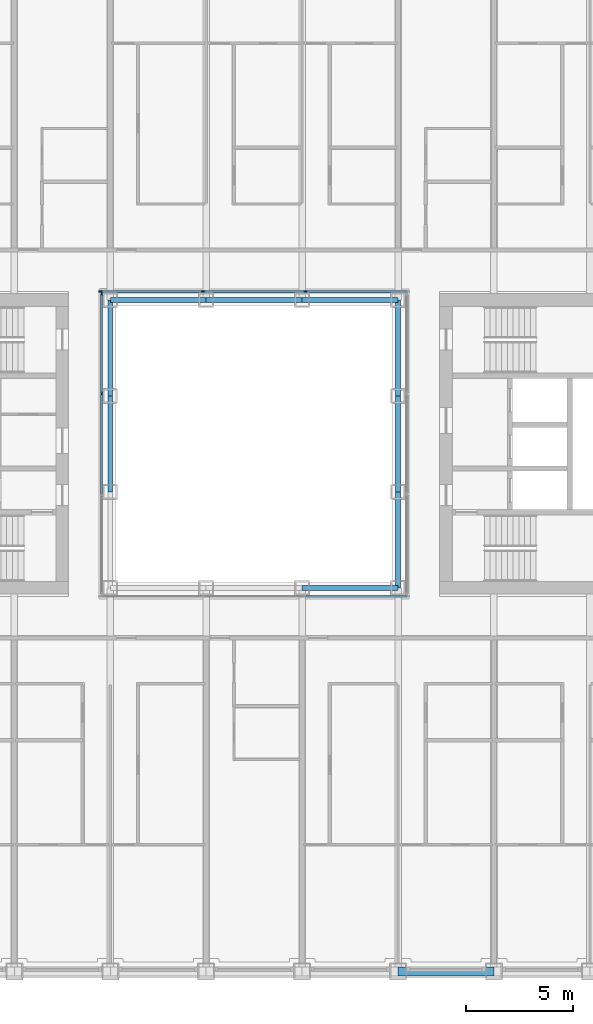
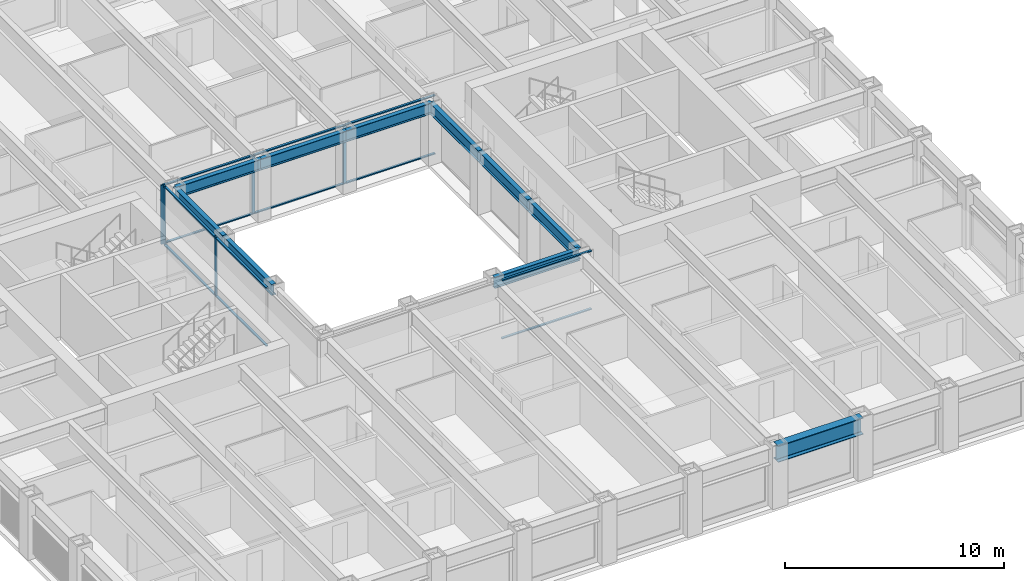
# One storey, part 4 of 20: 17 members, 10 beams, 3 elements without a shape of their own.
"""IFC4 building model written with IfcOpenShell, lengths in metres."""

from ifc_helpers import new_model, si_unit, direction, frame, origin, origin_2d, place, context, subcontext, project, spatial, rectangle, i_section, extrude, material, material_profile, profile_set, type_object, element, aggregate, save


model = new_model("IFC4")

# Units and contexts
model_context = context("Model", 3, precision=1e-05, world=origin(), true_north=direction((0.0, 1.0)))
body_context = subcontext(model_context, "Body", "Model", "MODEL_VIEW")
ifc_project = project(units=[si_unit("LENGTHUNIT", "METRE"), si_unit("AREAUNIT", "SQUARE_METRE"), si_unit("VOLUMEUNIT", "CUBIC_METRE"), si_unit("PLANEANGLEUNIT", "RADIAN"), si_unit("MASSUNIT", "GRAM", prefix="KILO")], contexts=[model_context])

# Site, building, storey
site_placement = place(None, origin())
site = spatial("IfcSite", under=ifc_project, at=site_placement, CompositionType="ELEMENT")
building_placement = place(site_placement, origin())
building = spatial("IfcBuilding", under=site, at=building_placement, Name="Msasa Ring Tower", CompositionType="ELEMENT")
storey_placement = place(building_placement, frame((0.0, 0.0, 58.0)))
storey = spatial("IfcBuildingStorey", under=building, at=storey_placement, Name="L14", CompositionType="ELEMENT", Elevation=58.0)

# Curtain wall, members
ifc_material_1 = material(Name="Aluminium curtain wall with clear glass", Category="aluminium")
curtain_wall_type = type_object("IfcCurtainWallType", Name="CW-W LIGHT WELL CURTAIN WALL", PredefinedType="NOTDEFINED", material=ifc_material_1)
curtain_wall_1_placement = place(storey_placement, origin())
curtain_wall_1 = element("IfcCurtainWall", 1, at=curtain_wall_1_placement, inside=storey, type_object=curtain_wall_type, Name="Light well curtain wall N L14", PredefinedType="NOTDEFINED")
ifc_material_2 = material(Name="Aluminium mullion", Category="aluminium")
ifc_material_profile_1 = material_profile(ifc_material_2, rectangle(XDim=0.06005859375, YDim=0.159912109375, at=origin_2d()), Name="AL 60x160")
ifc_profile_set_1 = profile_set([ifc_material_profile_1], Name="Aluminium mullion")
member_type_1 = type_object("IfcMemberType", Name="CW-W MULLION 60x160", PredefinedType="MULLION", material=ifc_profile_set_1)
member_1_placement = place(storey_placement, frame((-7.199951171875, 7.14990234375, 0.0), z_axis=(0.0, 0.0, 1.0), x_axis=(0.0, 1.0, 0.0)))
member_1 = element("IfcMember", 2, at=member_1_placement, type_object=member_type_1, Name="CW-W mullion 1", PredefinedType="MULLION", context=body_context, shape_type="SweptSolid", body=[
    extrude(rectangle(XDim=0.06005859375, YDim=0.159912109375, at=origin_2d()), origin(), (0.0, 0.0, 1.0), 3.300048828125),
])
member_2_placement = place(storey_placement, frame((-2.409912109375, 7.14990234375, 0.0), z_axis=(0.0, 0.0, 1.0), x_axis=(0.0, 1.0, 0.0)))
member_2 = element("IfcMember", 3, at=member_2_placement, type_object=member_type_1, Name="CW-W mullion 2", PredefinedType="MULLION", context=body_context, shape_type="SweptSolid", body=[
    extrude(rectangle(XDim=0.06005859375, YDim=0.159912109375, at=origin_2d()), origin(), (0.0, 0.0, 1.0), 3.300048828125),
])
member_3_placement = place(storey_placement, frame((2.409912109375, 7.14990234375, 0.0), z_axis=(0.0, 0.0, 1.0), x_axis=(0.0, 1.0, 0.0)))
member_3 = element("IfcMember", 4, at=member_3_placement, type_object=member_type_1, Name="CW-W mullion 3", PredefinedType="MULLION", context=body_context, shape_type="SweptSolid", body=[
    extrude(rectangle(XDim=0.06005859375, YDim=0.159912109375, at=origin_2d()), origin(), (0.0, 0.0, 1.0), 3.300048828125),
])

curtain_wall_2_placement = place(storey_placement, origin())
curtain_wall_2 = element("IfcCurtainWall", 5, at=curtain_wall_2_placement, inside=storey, type_object=curtain_wall_type, Name="Light well curtain wall W L14", PredefinedType="NOTDEFINED")
member_4_placement = place(storey_placement, frame((-7.14990234375, 2.356689453125, 0.0), z_axis=(0.0, 0.0, 1.0), x_axis=(-1.0, 0.0, 0.0)))
member_4 = element("IfcMember", 6, at=member_4_placement, type_object=member_type_1, Name="CW-W mullion 3", PredefinedType="MULLION", context=body_context, shape_type="SweptSolid", body=[
    extrude(rectangle(XDim=0.06005859375, YDim=0.159912109375, at=origin_2d()), origin(), (0.0, 0.0, 1.0), 3.300048828125),
])
member_5_placement = place(storey_placement, frame((-7.14990234375, 7.0400390625, 0.0), z_axis=(0.0, 0.0, 1.0), x_axis=(-1.0, 0.0, 0.0)))
member_5 = element("IfcMember", 7, at=member_5_placement, type_object=member_type_1, Name="CW-W mullion 4", PredefinedType="MULLION", context=body_context, shape_type="SweptSolid", body=[
    extrude(rectangle(XDim=0.06005859375, YDim=0.159912109375, at=origin_2d()), origin(), (0.0, 0.0, 1.0), 3.300048828125),
])

# Member
ifc_material_3 = material(Name="Aluminium transom", Category="aluminium")
ifc_material_profile_2 = material_profile(ifc_material_3, rectangle(XDim=0.1201171875, YDim=0.06005859375, at=origin_2d()), Name="AL 60x120")
ifc_profile_set_2 = profile_set([ifc_material_profile_2], Name="Aluminium transom")
member_type_2 = type_object("IfcMemberType", Name="CW-W TRANSOM 60x120", PredefinedType="USERDEFINED", material=ifc_profile_set_2)
member_6_placement = place(storey_placement, frame((-7.169921875, 7.14990234375, 0.030029296875), z_axis=(1.0, 0.0, 0.0), x_axis=(0.0, 1.0, 0.0)))
member_6 = element("IfcMember", 8, at=member_6_placement, type_object=member_type_2, Name="CW-W transom 1.1", ObjectType="TRANSOM", PredefinedType="USERDEFINED", context=body_context, shape_type="SweptSolid", body=[
    extrude(rectangle(XDim=0.1201171875, YDim=0.06005859375, at=origin_2d()), origin(), (0.0, 0.0, 1.0), 4.72998046875),
])

member_7_placement = place(storey_placement, frame((-7.169921875, 7.14990234375, 3.27001953125), z_axis=(1.0, 0.0, 0.0), x_axis=(0.0, 1.0, 0.0)))
member_7 = element("IfcMember", 9, at=member_7_placement, type_object=member_type_2, Name="CW-W transom 1.2", ObjectType="TRANSOM", PredefinedType="USERDEFINED", context=body_context, shape_type="SweptSolid", body=[
    extrude(rectangle(XDim=0.1201171875, YDim=0.06005859375, at=origin_2d()), origin(), (0.0, 0.0, 1.0), 4.72998046875),
])

member_8_placement = place(storey_placement, frame((-2.3798828125, 7.14990234375, 0.030029296875), z_axis=(1.0, 0.0, 0.0), x_axis=(0.0, 1.0, 0.0)))
member_8 = element("IfcMember", 10, at=member_8_placement, type_object=member_type_2, Name="CW-W transom 2.1", ObjectType="TRANSOM", PredefinedType="USERDEFINED", context=body_context, shape_type="SweptSolid", body=[
    extrude(rectangle(XDim=0.1201171875, YDim=0.06005859375, at=origin_2d()), origin(), (0.0, 0.0, 1.0), 4.759765625),
])

member_9_placement = place(storey_placement, frame((-2.3798828125, 7.14990234375, 3.27001953125), z_axis=(1.0, 0.0, 0.0), x_axis=(0.0, 1.0, 0.0)))
member_9 = element("IfcMember", 11, at=member_9_placement, type_object=member_type_2, Name="CW-W transom 2.2", ObjectType="TRANSOM", PredefinedType="USERDEFINED", context=body_context, shape_type="SweptSolid", body=[
    extrude(rectangle(XDim=0.1201171875, YDim=0.06005859375, at=origin_2d()), origin(), (0.0, 0.0, 1.0), 4.759765625),
])

member_10_placement = place(storey_placement, frame((2.43994140625, 7.14990234375, 0.030029296875), z_axis=(1.0, 0.0, 0.0), x_axis=(0.0, 1.0, 0.0)))
member_10 = element("IfcMember", 12, at=member_10_placement, type_object=member_type_2, Name="CW-W transom 3.1", ObjectType="TRANSOM", PredefinedType="USERDEFINED", context=body_context, shape_type="SweptSolid", body=[
    extrude(rectangle(XDim=0.1201171875, YDim=0.06005859375, at=origin_2d()), origin(), (0.0, 0.0, 1.0), 4.72998046875),
])

member_11_placement = place(storey_placement, frame((2.43994140625, 7.14990234375, 3.27001953125), z_axis=(1.0, 0.0, 0.0), x_axis=(0.0, 1.0, 0.0)))
member_11 = element("IfcMember", 13, at=member_11_placement, type_object=member_type_2, Name="CW-W transom 3.2", ObjectType="TRANSOM", PredefinedType="USERDEFINED", context=body_context, shape_type="SweptSolid", body=[
    extrude(rectangle(XDim=0.1201171875, YDim=0.06005859375, at=origin_2d()), origin(), (0.0, 0.0, 1.0), 4.72998046875),
])

aggregate(curtain_wall_1, [member_1, member_2, member_3, member_6, member_7, member_8, member_9, member_10, member_11])

# Curtain wall, members
curtain_wall_3_placement = place(storey_placement, origin())
curtain_wall_3 = element("IfcCurtainWall", 14, at=curtain_wall_3_placement, inside=storey, type_object=curtain_wall_type, Name="Light well curtain wall S L14", PredefinedType="NOTDEFINED")
member_12_placement = place(storey_placement, frame((2.43994140625, -7.14990234375, 0.030029296875), z_axis=(1.0, 0.0, 0.0), x_axis=(0.0, 1.0, 0.0)))
member_12 = element("IfcMember", 15, at=member_12_placement, type_object=member_type_2, Name="CW-W transom 3.1", ObjectType="TRANSOM", PredefinedType="USERDEFINED", context=body_context, shape_type="SweptSolid", body=[
    extrude(rectangle(XDim=0.1201171875, YDim=0.06005859375, at=origin_2d()), origin(), (0.0, 0.0, 1.0), 4.72998046875),
])
member_13_placement = place(storey_placement, frame((2.43994140625, -7.14990234375, 3.27001953125), z_axis=(1.0, 0.0, 0.0), x_axis=(0.0, 1.0, 0.0)))
member_13 = element("IfcMember", 16, at=member_13_placement, type_object=member_type_2, Name="CW-W transom 3.2", ObjectType="TRANSOM", PredefinedType="USERDEFINED", context=body_context, shape_type="SweptSolid", body=[
    extrude(rectangle(XDim=0.1201171875, YDim=0.06005859375, at=origin_2d()), origin(), (0.0, 0.0, 1.0), 4.72998046875),
])
aggregate(curtain_wall_3, [member_12, member_13])

# Member
member_14_placement = place(storey_placement, frame((-7.14990234375, -2.32666015625, 0.030029296875), z_axis=(0.0, 1.0, 0.0), x_axis=(-1.0, 0.0, 0.0)))
member_14 = element("IfcMember", 17, at=member_14_placement, type_object=member_type_2, Name="CW-W transom 2.1", ObjectType="TRANSOM", PredefinedType="USERDEFINED", context=body_context, shape_type="SweptSolid", body=[
    extrude(rectangle(XDim=0.1201171875, YDim=0.06005859375, at=origin_2d()), origin(), (0.0, 0.0, 1.0), 4.6533203125),
])

member_15_placement = place(storey_placement, frame((-7.14990234375, -2.32666015625, 3.27001953125), z_axis=(0.0, 1.0, 0.0), x_axis=(-1.0, 0.0, 0.0)))
member_15 = element("IfcMember", 18, at=member_15_placement, type_object=member_type_2, Name="CW-W transom 2.2", ObjectType="TRANSOM", PredefinedType="USERDEFINED", context=body_context, shape_type="SweptSolid", body=[
    extrude(rectangle(XDim=0.1201171875, YDim=0.06005859375, at=origin_2d()), origin(), (0.0, 0.0, 1.0), 4.6533203125),
])

member_16_placement = place(storey_placement, frame((-7.14990234375, 2.38671875, 0.030029296875), z_axis=(0.0, 1.0, 0.0), x_axis=(-1.0, 0.0, 0.0)))
member_16 = element("IfcMember", 19, at=member_16_placement, type_object=member_type_2, Name="CW-W transom 3.1", ObjectType="TRANSOM", PredefinedType="USERDEFINED", context=body_context, shape_type="SweptSolid", body=[
    extrude(rectangle(XDim=0.1201171875, YDim=0.06005859375, at=origin_2d()), origin(), (0.0, 0.0, 1.0), 4.623291015625),
])

member_17_placement = place(storey_placement, frame((-7.14990234375, 2.38671875, 3.27001953125), z_axis=(0.0, 1.0, 0.0), x_axis=(-1.0, 0.0, 0.0)))
member_17 = element("IfcMember", 20, at=member_17_placement, type_object=member_type_2, Name="CW-W transom 3.2", ObjectType="TRANSOM", PredefinedType="USERDEFINED", context=body_context, shape_type="SweptSolid", body=[
    extrude(rectangle(XDim=0.1201171875, YDim=0.06005859375, at=origin_2d()), origin(), (0.0, 0.0, 1.0), 4.623291015625),
])

aggregate(curtain_wall_2, [member_4, member_5, member_14, member_15, member_16, member_17])

# Beams
ifc_material_4 = material(Name="Steel S355", Category="steel")
ifc_material_profile_3 = material_profile(ifc_material_4, i_section(OverallWidth=0.230224609375, OverallDepth=0.6171875, WebThickness=0.01318359375, FlangeThickness=0.022216796875, FilletRadius=0.0126953125, at=origin_2d()), Name="UB 610x229x140")
ifc_profile_set_3 = profile_set([ifc_material_profile_3], Name="Steel S355")
beam_type_1 = type_object("IfcBeamType", Name="RB1 UB 610x229x140", PredefinedType="BEAM", material=ifc_profile_set_3)
for number, where, z_axis, x_axis, name in (
    (21, (2.25, -6.75, 2.991455078125), (1.0, 0.0, 0.0), (0.0, 1.0, 0.0), "Inner ring beam IR+2.25-6.75 under L15"),
    (22, (6.75, -6.75, 2.991455078125), (0.0, 1.0, 0.0), (-1.0, 0.0, 0.0), "Inner ring beam IR+6.75-6.75 under L15"),
    (23, (6.75, -2.25, 2.991455078125), (0.0, 1.0, 0.0), (-1.0, 0.0, 0.0), "Inner ring beam IR+6.75-2.25 under L15"),
    (24, (6.75, 2.25, 2.991455078125), (0.0, 1.0, 0.0), (-1.0, 0.0, 0.0), "Inner ring beam IR+6.75+2.25 under L15"),
    (25, (6.75, 6.75, 2.991455078125), (-1.0, 0.0, 0.0), (0.0, -1.0, 0.0), "Inner ring beam IR+6.75+6.75 under L15"),
    (26, (2.25, 6.75, 2.991455078125), (-1.0, 0.0, 0.0), (0.0, -1.0, 0.0), "Inner ring beam IR+2.25+6.75 under L15"),
    (27, (-2.25, 6.75, 2.991455078125), (-1.0, 0.0, 0.0), (0.0, -1.0, 0.0), "Inner ring beam IR-2.25+6.75 under L15"),
    (28, (-6.75, 6.75, 2.991455078125), (0.0, -1.0, 0.0), (1.0, 0.0, 0.0), "Inner ring beam IR-6.75+6.75 under L15"),
    (29, (-6.75, 2.25, 2.991455078125), (0.0, -1.0, 0.0), (1.0, 0.0, 0.0), "Inner ring beam IR-6.75+2.25 under L15"),
):
    element("IfcBeam", number, at=place(storey_placement, frame(where, z_axis=z_axis, x_axis=x_axis)), inside=storey, type_object=beam_type_1, Name=name, PredefinedType="BEAM", context=body_context, shape_type="SweptSolid", body=[
        extrude(i_section(OverallWidth=0.230224609375, OverallDepth=0.6171875, WebThickness=0.01318359375, FlangeThickness=0.022216796875, FilletRadius=0.0126953125, at=origin_2d()), origin(), (0.0, 0.0, 1.0), 4.5),
    ])
ifc_material_5 = material(Name="Steel S355", Category="steel")
ifc_material_profile_4 = material_profile(ifc_material_5, i_section(OverallWidth=0.42041015625, OverallDepth=0.9208984375, WebThickness=0.021484375, FlangeThickness=0.03662109375, FilletRadius=0.024169921875, at=origin_2d()), Name="UB 914x419x388")
ifc_profile_set_4 = profile_set([ifc_material_profile_4], Name="Steel S355")
beam_type_2 = type_object("IfcBeamType", Name="SB1 UB 914x419x388", PredefinedType="SPANDREL", material=ifc_profile_set_4)
beam_placement = place(storey_placement, frame((6.75, -24.75, 2.839599609375), z_axis=(1.0, 0.0, 0.0), x_axis=(0.0, 1.0, 0.0)))
element("IfcBeam", 30, at=beam_placement, inside=storey, type_object=beam_type_2, Name="Spandrel S+6.75 to S+11.25 under L15", PredefinedType="SPANDREL", context=body_context, shape_type="SweptSolid", body=[
    extrude(i_section(OverallWidth=0.42041015625, OverallDepth=0.9208984375, WebThickness=0.021484375, FlangeThickness=0.03662109375, FilletRadius=0.024169921875, at=origin_2d()), origin(), (0.0, 0.0, 1.0), 4.5),
])

save(model, "model.ifc")
